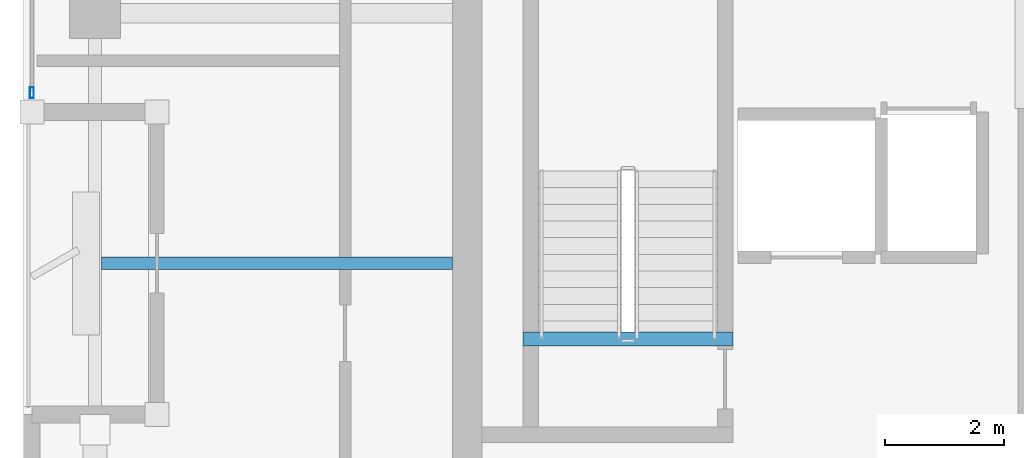
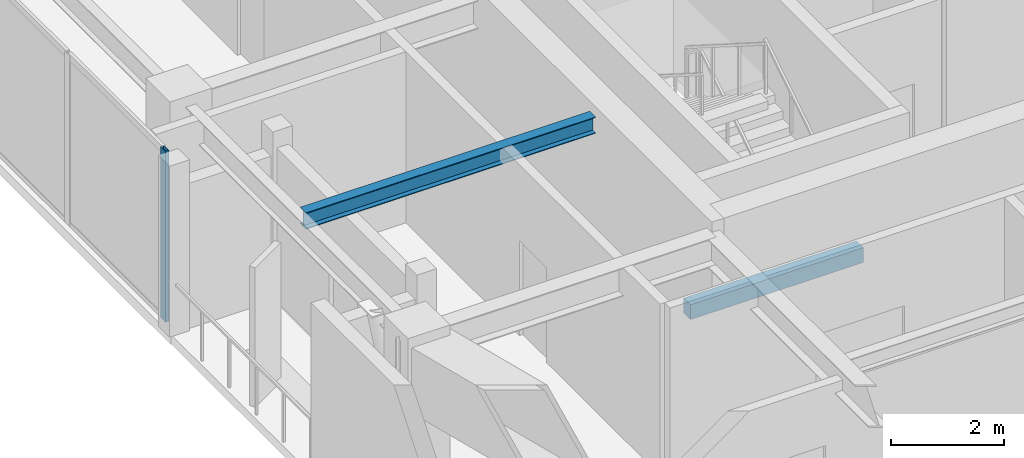
# One storey, part 2 of 16: 2 beams, 1 member, 1 element without a shape of its own.
"""IFC4 building model written with IfcOpenShell, lengths in metres."""

from ifc_helpers import new_model, si_unit, direction, frame, origin, origin_2d, place, context, subcontext, project, spatial, rectangle, hollow_rectangle, i_section, extrude, material, layer, layer_set, material_profile, profile_set, type_object, element, aggregate, save


model = new_model("IFC4")

# Units and contexts
model_context = context("Model", 3, precision=1e-05, world=origin(), true_north=direction((0.0, 1.0)))
body_context = subcontext(model_context, "Body", "Model", "MODEL_VIEW")
ifc_project = project(units=[si_unit("LENGTHUNIT", "METRE"), si_unit("AREAUNIT", "SQUARE_METRE"), si_unit("VOLUMEUNIT", "CUBIC_METRE"), si_unit("PLANEANGLEUNIT", "RADIAN"), si_unit("MASSUNIT", "GRAM", prefix="KILO")], contexts=[model_context])

# Site, building, storey
site_placement = place(None, origin())
site = spatial("IfcSite", under=ifc_project, at=site_placement, CompositionType="ELEMENT")
building_placement = place(site_placement, origin())
building = spatial("IfcBuilding", under=site, at=building_placement, Name="Kiyonajd Concourse Tower", CompositionType="ELEMENT")
storey_placement = place(building_placement, frame((0.0, 0.0, 329.699951171875)))
storey = spatial("IfcBuildingStorey", under=building, at=storey_placement, Name="L83", CompositionType="ELEMENT", Elevation=329.699951171875)

# Beams
ifc_material_1 = material(Name="Steel ASTM A992 Grade 50", Category="steel")
ifc_material_profile_1 = material_profile(ifc_material_1, i_section(OverallWidth=0.205078125, OverallDepth=0.35400390625, WebThickness=0.009521484375, FlangeThickness=0.016845703125, at=origin_2d()), Name="W360X79")
ifc_profile_set_1 = profile_set([ifc_material_profile_1], Name="Steel ASTM A992 Grade 50")
beam_type_1 = type_object("IfcBeamType", Name="BM-JST-360", PredefinedType="JOIST", material=ifc_profile_set_1)
beam_1_placement = place(storey_placement, frame((26.505615234375, 31.800048828125, 3.5029296875), z_axis=(1.0, 0.0, 0.0), x_axis=(0.0, 1.0, 0.0)))
element("IfcBeam", 1, at=beam_1_placement, inside=storey, type_object=beam_type_1, Name="L83 West Secondary Floor Joist", PredefinedType="JOIST", context=body_context, shape_type="SweptSolid", body=[
    extrude(i_section(OverallWidth=0.205078125, OverallDepth=0.35400390625, WebThickness=0.009521484375, FlangeThickness=0.016845703125, at=origin_2d()), origin(), (0.0, 0.0, 1.0), 5.894287109375),
])
ifc_material_2 = material(Name="Concrete C50/60", Category="concrete")
ifc_material_profile_2 = material_profile(ifc_material_2, rectangle(XDim=0.239990234375, YDim=0.320068359375, at=origin_2d()), Name="RCBM-240x320")
ifc_profile_set_2 = profile_set([ifc_material_profile_2], Name="Concrete C50/60")
beam_type_2 = type_object("IfcBeamType", Name="BM-LNT-250", PredefinedType="LINTEL", material=ifc_profile_set_2)
beam_2_placement = place(storey_placement, frame((33.590087890625, 30.530029296875, -0.159912109375), z_axis=(1.0, 0.0, 0.0), x_axis=(0.0, 1.0, 0.0)))
element("IfcBeam", 2, at=beam_2_placement, inside=storey, type_object=beam_type_2, Name="L83 Stair ST1 Threshold Support Beam", PredefinedType="LINTEL", context=body_context, shape_type="SweptSolid", body=[
    extrude(rectangle(XDim=0.239990234375, YDim=0.320068359375, at=origin_2d()), origin(), (0.0, 0.0, 1.0), 3.52001953125),
])

# Curtain wall, member
ifc_material_3 = material(Name="Thermally Broken Anodised Aluminium", Category="aluminium")
ifc_layer = layer(ifc_material_3, 0.179931640625)
ifc_layer_set = layer_set([ifc_layer], Name="Thermally Broken Anodised Aluminium")
curtain_wall_type = type_object("IfcCurtainWallType", Name="CW-SYS-04", PredefinedType="NOTDEFINED", material=ifc_layer_set)
curtain_wall_placement = place(storey_placement, origin())
curtain_wall = element("IfcCurtainWall", 3, at=curtain_wall_placement, inside=storey, type_object=curtain_wall_type, Name="L83 Unitised Curtain Wall CW4", PredefinedType="NOTDEFINED")
ifc_material_profile_3 = material_profile(ifc_material_3, hollow_rectangle(XDim=0.06494140625, YDim=0.179931640625, WallThickness=0.00390625, at=origin_2d()), Name="MULL-65x180")
ifc_profile_set_3 = profile_set([ifc_material_profile_3], Name="Thermally Broken Anodised Aluminium")
member_type = type_object("IfcMemberType", Name="MB-CW-MULL1", PredefinedType="MULLION", material=ifc_profile_set_3)
member_placement = place(storey_placement, frame((25.340087890625, 34.66259765625, 0.0), z_axis=(0.0, 0.0, 1.0), x_axis=(-1.0, 0.0, 0.0)))
member = element("IfcMember", 4, at=member_placement, type_object=member_type, Name="CW4 mullion 1", PredefinedType="MULLION", context=body_context, shape_type="SweptSolid", body=[
    extrude(hollow_rectangle(XDim=0.06494140625, YDim=0.179931640625, WallThickness=0.00390625, at=origin_2d()), origin(), (0.0, 0.0, 1.0), 3.679931640625),
])
aggregate(curtain_wall, [member])

save(model, "model.ifc")
